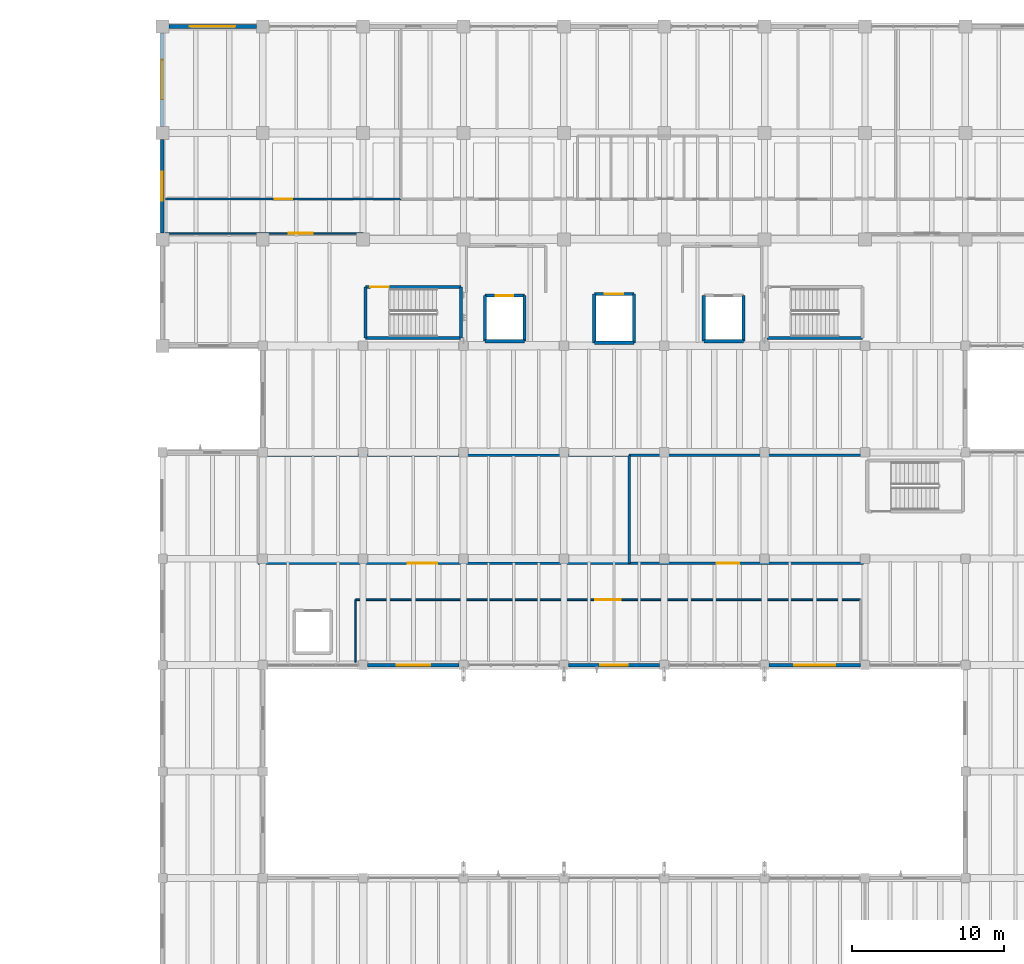
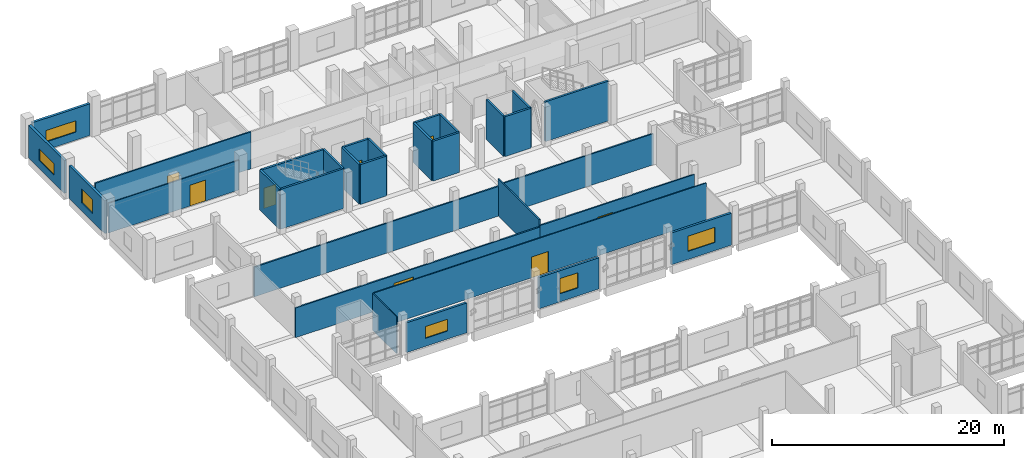
# One storey, part 48 of 68: 31 walls, 8 doors, 6 windows, 14 openings.
"""IFC4 building model written with IfcOpenShell, lengths in metres."""

import ifcopenshell
import ifcopenshell.guid

model = None  # the IFC model being written
_history = None  # IfcOwnerHistory: only IFC2X3 demands one
_inside = {}  # id of a spatial element -> (the spatial element, [elements in it])
_under = {}  # id of a project, library or spatial element -> (it, [spatial elements below it])
_declared = {}  # id of a project -> (the project, [libraries it declares])
_typed = {}  # id of a type object -> (the type object, [elements of that type])
_made_of = {}  # id of a material, layer set ... -> (it, [elements and type objects made of it])


def new_model(schema):
    """Start an empty IFC model of exactly this schema.

    Asked for "IFC4X3", IfcOpenShell would pick the latest addendum, in which some entities
    have other attributes; the version numbers below select the first issue.
    IFC2X3 requires an IfcOwnerHistory on every rooted entity: one is made here for all.
    """
    global model, _history
    if schema == "IFC4X3":
        model = ifcopenshell.file(schema_version=(4, 3, 0, 0))
    else:
        model = ifcopenshell.file(schema=schema)
    _inside.clear()
    _under.clear()
    _declared.clear()
    _typed.clear()
    _made_of.clear()
    _history = None
    if model.schema == "IFC2X3":
        org = make("IfcOrganization", Name="unknown")
        user = make(
            "IfcPersonAndOrganization",
            ThePerson=make("IfcPerson", FamilyName="unknown"),
            TheOrganization=org,
        )
        app = make(
            "IfcApplication",
            ApplicationDeveloper=org,
            Version="unknown",
            ApplicationFullName="unknown",
            ApplicationIdentifier="unknown",
        )
        _history = make(
            "IfcOwnerHistory",
            OwningUser=user,
            OwningApplication=app,
            ChangeAction="ADDED",
            CreationDate=0,
        )
    return model


def make(cls, **values):
    """One entity of the class cls with the attributes given. An attribute that is None is left unset."""
    return model.create_entity(
        cls, **{name: value for name, value in values.items() if value is not None}
    )


def rooted(cls, **values):
    """An entity with a GlobalId (a new one), such as an element, a storey or a relation."""
    return make(cls, GlobalId=ifcopenshell.guid.new(), OwnerHistory=_history, **values)


def si_unit(unit_type, name, prefix=None):
    """IfcSIUnit, for example si_unit("LENGTHUNIT", "METRE", prefix="MILLI")."""
    return make("IfcSIUnit", UnitType=unit_type, Prefix=prefix, Name=name)


def assignment(units):
    """IfcUnitAssignment: the units of a project."""
    return None if units is None else make("IfcUnitAssignment", Units=units)


def point(xyz):
    """IfcCartesianPoint."""
    return None if xyz is None else make("IfcCartesianPoint", Coordinates=xyz)


def direction(xyz):
    """IfcDirection."""
    return None if xyz is None else make("IfcDirection", DirectionRatios=xyz)


def frame(location, z_axis=None, x_axis=None):
    """IfcAxis2Placement3D, a coordinate frame: its origin and axes. An axis left out is left unset."""
    return make(
        "IfcAxis2Placement3D",
        Location=point(location),
        Axis=direction(z_axis),
        RefDirection=direction(x_axis),
    )


def frame_2d(location, x_axis=None):
    """IfcAxis2Placement2D, a coordinate frame in the plane: its origin and x axis."""
    return make(
        "IfcAxis2Placement2D", Location=point(location), RefDirection=direction(x_axis)
    )


def origin():
    """The frame at (0, 0, 0) with its axes left unset."""
    return frame((0.0, 0.0, 0.0))


def place(relative_to, where):
    """IfcLocalPlacement: puts the frame where relative to a parent placement (None: the world)."""
    return make(
        "IfcLocalPlacement", PlacementRelTo=relative_to, RelativePlacement=where
    )


def context(
    kind, dimensions, precision=None, world=None, true_north=None, identifier=None
):
    """IfcGeometricRepresentationContext, for example the 3D "Model" context."""
    return make(
        "IfcGeometricRepresentationContext",
        ContextIdentifier=identifier,
        ContextType=kind,
        CoordinateSpaceDimension=dimensions,
        Precision=precision,
        WorldCoordinateSystem=world,
        TrueNorth=true_north,
    )


def subcontext(parent, identifier, kind, view, scale=None):
    """IfcGeometricRepresentationSubContext, for example "Body" below "Model"."""
    return make(
        "IfcGeometricRepresentationSubContext",
        ContextIdentifier=identifier,
        ContextType=kind,
        ParentContext=parent,
        TargetScale=scale,
        TargetView=view,
    )


def project(units=None, contexts=None):
    """IfcProject with its units and contexts."""
    return rooted(
        "IfcProject",
        Name="project",
        RepresentationContexts=contexts,
        UnitsInContext=assignment(units),
    )


def spatial(cls, under=None, at=None, **own):
    """A site, building, storey or space (cls), placed at a placement, below another one or the project."""
    s = rooted(cls, ObjectPlacement=at, **own)
    if under is not None:
        _under.setdefault(under.id(), (under, []))[1].append(s)
    return s


def profile(cls, at=None, kind="AREA", **sizes):
    """A parametric profile (cls). Its sizes go by their IFC names, for example OverallWidth=200.0."""
    return make(cls, ProfileType=kind, Position=at, **sizes)


def rectangle(**sizes):
    """IfcRectangleProfileDef."""
    return profile("IfcRectangleProfileDef", **sizes)


def extrude(swept, where, along, depth):
    """IfcExtrudedAreaSolid: the profile swept, set in the frame where, extruded along a direction by depth."""
    return make(
        "IfcExtrudedAreaSolid",
        SweptArea=swept,
        Position=where,
        ExtrudedDirection=direction(along),
        Depth=depth,
    )


def shape(context_of_items, identifier, shape_type, items):
    """IfcShapeRepresentation: the items that make up one representation, for example the "Body"."""
    return make(
        "IfcShapeRepresentation",
        ContextOfItems=context_of_items,
        RepresentationIdentifier=identifier,
        RepresentationType=shape_type,
        Items=items,
    )


def material(Name=None, Category=None):
    """IfcMaterial."""
    return make("IfcMaterial", Name=Name, Category=Category)


def layer(
    of_material, thickness, ventilated=None, Name=None, Category=None, Priority=None
):
    """IfcMaterialLayer: one layer of a wall or slab, of a material (None: an air gap)."""
    return make(
        "IfcMaterialLayer",
        Material=of_material,
        LayerThickness=thickness,
        IsVentilated=ventilated,
        Name=Name,
        Category=Category,
        Priority=Priority,
    )


def layer_set(layers, Name=None):
    """IfcMaterialLayerSet."""
    return make("IfcMaterialLayerSet", MaterialLayers=layers, LayerSetName=Name)


def made_of(thing, what):
    """Note that an element or type object is made of a material, layer set ...; save() writes the relation."""
    if what is not None:
        _made_of.setdefault(what.id(), (what, []))[1].append(thing)
    return thing


def type_object(cls, material=None, **own):
    """A type object (cls), such as IfcWallType, which elements share."""
    return made_of(rooted(cls, **own), material)


def element(
    cls,
    number,
    at=None,
    inside=None,
    cuts=None,
    type_object=None,
    material=None,
    context=None,
    identifier="Body",
    shape_type=None,
    held_by="IfcProductDefinitionShape",
    body=None,
    shapes=None,
    **own,
):
    """One element of the class cls, such as IfcWall. Its Tag is "e" and its number.

    at: its placement. inside: the storey or other place that contains it. cuts: it is an
    opening in that element (IfcRelVoidsElement). A single representation is given by context,
    identifier, shape_type and body (its items); several are given by shapes. held_by: the class
    of the entity that holds the representations. save() writes the other relations.
    """
    e = rooted(cls, Tag="e%d" % number, ObjectPlacement=at, **own)
    if body is not None:
        shapes = [shape(context, identifier, shape_type, body)]
    if shapes is not None:
        e.Representation = make(held_by, Representations=shapes)
    if inside is not None:
        _inside.setdefault(inside.id(), (inside, []))[1].append(e)
    if cuts is not None:
        rooted(
            "IfcRelVoidsElement", RelatingBuildingElement=cuts, RelatedOpeningElement=e
        )
    if type_object is not None:
        _typed.setdefault(type_object.id(), (type_object, []))[1].append(e)
    return made_of(e, material)


def fill(opening, filler):
    """IfcRelFillsElement: the door or window that sits in an opening."""
    return rooted(
        "IfcRelFillsElement",
        RelatingOpeningElement=opening,
        RelatedBuildingElement=filler,
    )


def aggregate(whole, parts):
    """IfcRelAggregates: a whole, such as a stair, and the parts it consists of."""
    return rooted("IfcRelAggregates", RelatingObject=whole, RelatedObjects=parts)


def save(model, path):
    """Write the relations noted so far, then the file.

    IfcRelAggregates (storeys below a building ...), IfcRelContainedInSpatialStructure (elements
    in a storey), IfcRelDefinesByType, IfcRelAssociatesMaterial and IfcRelDeclares: one each for
    every whole, place, type object, material and project.
    """
    for whole, parts in _under.values():
        aggregate(whole, parts)
    for where, things in _inside.values():
        rooted(
            "IfcRelContainedInSpatialStructure",
            RelatedElements=things,
            RelatingStructure=where,
        )
    for kind, things in _typed.values():
        rooted("IfcRelDefinesByType", RelatedObjects=things, RelatingType=kind)
    for what, things in _made_of.values():
        rooted("IfcRelAssociatesMaterial", RelatedObjects=things, RelatingMaterial=what)
    for by, libraries in _declared.values():
        rooted("IfcRelDeclares", RelatingContext=by, RelatedDefinitions=libraries)
    model.write(path)


model = new_model("IFC4")

# Units and contexts
model_context = context("Model", 3, precision=1e-05, world=origin(), true_north=direction((0.0, 1.0)))
body_context = subcontext(model_context, "Body", "Model", "MODEL_VIEW")
ifc_project = project(units=[si_unit("LENGTHUNIT", "METRE"), si_unit("AREAUNIT", "SQUARE_METRE"), si_unit("VOLUMEUNIT", "CUBIC_METRE"), si_unit("PLANEANGLEUNIT", "RADIAN"), si_unit("MASSUNIT", "GRAM", prefix="KILO")], contexts=[model_context])

# Site, building, storey
site_placement = place(None, origin())
site = spatial("IfcSite", under=ifc_project, at=site_placement, CompositionType="ELEMENT")
building_placement = place(site_placement, origin())
building = spatial("IfcBuilding", under=site, at=building_placement, Name="Ciguamira Faculty of Natural Sciences", CompositionType="ELEMENT")
storey_placement = place(building_placement, frame((0.0, 0.0, 4.199951171875)))
storey = spatial("IfcBuildingStorey", under=building, at=storey_placement, Name="L01", CompositionType="ELEMENT", Elevation=4.199951171875)

# Wall, opening, window
ifc_material_1 = material(Name="Precast concrete C40/50", Category="concrete")
ifc_layer_1 = layer(ifc_material_1, 0.239990234375, Name="Precast concrete C40/50")
ifc_layer_set_1 = layer_set([ifc_layer_1], Name="Precast concrete C40/50")
wall_type_1 = type_object("IfcWallType", Name="ExtWall_EW-02_240", PredefinedType="SOLIDWALL", material=ifc_layer_set_1)
wall_1_placement = place(storey_placement, frame((57.72509765625, 115.0, 0.0), z_axis=(0.0, 0.0, 1.0), x_axis=(1.0, 0.0, 0.0)))
wall_1 = element("IfcWall", 1, at=wall_1_placement, inside=storey, type_object=wall_type_1, Name="L01 exterior wall 0168", PredefinedType="SOLIDWALL", context=body_context, shape_type="SweptSolid", body=[
    extrude(rectangle(XDim=5.75, YDim=0.239990234375, at=frame_2d((2.875, 0.0))), origin(), (0.0, 0.0, 1.0), 3.344970703125),
])
opening_1_placement = place(wall_1_placement, frame((1.375, 0.0, 0.85009765625)))
opening_1 = element("IfcOpeningElement", 2, at=opening_1_placement, cuts=wall_1, Name="Opening WT-33", PredefinedType="OPENING", context=body_context, shape_type="SweptSolid", body=[
    extrude(rectangle(XDim=3.0, YDim=1.199951171875, at=frame_2d((1.5, 0.60009765625))), frame((0.0, 0.1298828125, 0.0), z_axis=(0.0, -1.0, 0.0), x_axis=(1.0, 0.0, 0.0)), (0.0, 0.0, 1.0), 0.260009765625),
])
ifc_material_2 = material(Name="Hurricane laminated solar glass", Category="glass")
window_type_1 = type_object("IfcWindowType", Name="Window_WT-33_3000x1200", PartitioningType="DOUBLE_PANEL_VERTICAL", PredefinedType="WINDOW", material=ifc_material_2)
window_1_placement = place(opening_1_placement, origin())
window_1 = element("IfcWindow", 3, at=window_1_placement, inside=storey, type_object=window_type_1, Name="L01 facade window 0084", OverallHeight=1.199951171875, OverallWidth=3.0, PartitioningType="SINGLE_PANEL", PredefinedType="WINDOW", context=body_context, shape_type="SweptSolid", body=[
    extrude(rectangle(XDim=3.0, YDim=1.199951171875, at=frame_2d((1.5, 0.60009765625))), frame((0.0, 0.030029296875, 0.0), z_axis=(0.0, -1.0, 0.0), x_axis=(1.0, 0.0, 0.0)), (0.0, 0.0, 1.0), 0.06005859375),
])
fill(opening_1, window_1)

wall_2_placement = place(storey_placement, frame((57.300048828125, 101.425048828125, 0.0), z_axis=(0.0, 0.0, 1.0), x_axis=(0.0, 1.0, 0.0)))
wall_2 = element("IfcWall", 4, at=wall_2_placement, inside=storey, type_object=wall_type_1, Name="L01 exterior wall 0184", PredefinedType="SOLIDWALL", context=body_context, shape_type="SweptSolid", body=[
    extrude(rectangle(XDim=6.14990234375, YDim=0.239990234375, at=frame_2d((3.074951171875, 0.0))), origin(), (0.0, 0.0, 1.0), 3.465087890625),
])
opening_2_placement = place(wall_2_placement, frame((2.125, 0.0, 0.85009765625)))
opening_2 = element("IfcOpeningElement", 5, at=opening_2_placement, cuts=wall_2, Name="Opening WT-30", PredefinedType="OPENING", context=body_context, shape_type="SweptSolid", body=[
    extrude(rectangle(XDim=1.89990234375, YDim=1.449951171875, at=frame_2d((0.949951171875, 0.72509765625))), frame((0.0, 0.1298828125, 0.0), z_axis=(0.0, -1.0, 0.0), x_axis=(1.0, 0.0, 0.0)), (0.0, 0.0, 1.0), 0.260009765625),
])
window_type_2 = type_object("IfcWindowType", Name="Window_WT-30_1900x1450", PartitioningType="DOUBLE_PANEL_VERTICAL", PredefinedType="WINDOW", material=ifc_material_2)
window_2_placement = place(opening_2_placement, origin())
window_2 = element("IfcWindow", 6, at=window_2_placement, inside=storey, type_object=window_type_2, Name="L01 facade window 0099", OverallHeight=1.449951171875, OverallWidth=1.89990234375, PartitioningType="SINGLE_PANEL", PredefinedType="WINDOW", context=body_context, shape_type="SweptSolid", body=[
    extrude(rectangle(XDim=1.89990234375, YDim=1.449951171875, at=frame_2d((0.949951171875, 0.72509765625))), frame((0.0, 0.030029296875, 0.0), z_axis=(0.0, -1.0, 0.0), x_axis=(1.0, 0.0, 0.0)), (0.0, 0.0, 1.0), 0.06005859375),
])
fill(opening_2, window_2)

wall_3_placement = place(storey_placement, frame((57.300048828125, 108.425048828125, 0.0), z_axis=(0.0, 0.0, 1.0), x_axis=(0.0, 1.0, 0.0)))
wall_3 = element("IfcWall", 7, at=wall_3_placement, inside=storey, type_object=wall_type_1, Name="L01 exterior wall 0185", PredefinedType="SOLIDWALL", context=body_context, shape_type="SweptSolid", body=[
    extrude(rectangle(XDim=6.14990234375, YDim=0.239990234375, at=frame_2d((3.074951171875, 0.0))), origin(), (0.0, 0.0, 1.0), 3.465087890625),
])
opening_3_placement = place(wall_3_placement, frame((1.77490234375, 0.0, 0.85009765625)))
opening_3 = element("IfcOpeningElement", 8, at=opening_3_placement, cuts=wall_3, Name="Opening WT-32", PredefinedType="OPENING", context=body_context, shape_type="SweptSolid", body=[
    extrude(rectangle(XDim=2.60009765625, YDim=1.199951171875, at=frame_2d((1.300048828125, 0.60009765625))), frame((0.0, 0.1298828125, 0.0), z_axis=(0.0, -1.0, 0.0), x_axis=(1.0, 0.0, 0.0)), (0.0, 0.0, 1.0), 0.260009765625),
])
window_type_3 = type_object("IfcWindowType", Name="Window_WT-32_2600x1200", PartitioningType="DOUBLE_PANEL_VERTICAL", PredefinedType="WINDOW", material=ifc_material_2)
window_3_placement = place(opening_3_placement, origin())
window_3 = element("IfcWindow", 9, at=window_3_placement, inside=storey, type_object=window_type_3, Name="L01 facade window 0100", OverallHeight=1.199951171875, OverallWidth=2.60009765625, PartitioningType="SINGLE_PANEL", PredefinedType="WINDOW", context=body_context, shape_type="SweptSolid", body=[
    extrude(rectangle(XDim=2.60009765625, YDim=1.199951171875, at=frame_2d((1.300048828125, 0.60009765625))), frame((0.0, 0.030029296875, 0.0), z_axis=(0.0, -1.0, 0.0), x_axis=(1.0, 0.0, 0.0)), (0.0, 0.0, 1.0), 0.06005859375),
])
fill(opening_3, window_3)

ifc_layer_2 = layer(ifc_material_1, 0.219970703125, Name="Precast concrete C40/50")
ifc_layer_set_2 = layer_set([ifc_layer_2], Name="Precast concrete C40/50")
wall_type_2 = type_object("IfcWallType", Name="ExtWall_EW-03_220", PredefinedType="SOLIDWALL", material=ifc_layer_set_2)
wall_4_placement = place(storey_placement, frame((70.800048828125, 73.0, 0.0), z_axis=(0.0, 0.0, 1.0), x_axis=(1.0, 0.0, 0.0)))
wall_4 = element("IfcWall", 10, at=wall_4_placement, inside=storey, type_object=wall_type_2, Name="L01 exterior wall 0163", PredefinedType="SOLIDWALL", context=body_context, shape_type="SweptSolid", body=[
    extrude(rectangle(XDim=6.0, YDim=0.219970703125, at=frame_2d((3.0, 0.0))), origin(), (0.0, 0.0, 1.0), 3.135009765625),
])
opening_4_placement = place(wall_4_placement, frame((1.89990234375, 0.0, 0.85009765625)))
opening_4 = element("IfcOpeningElement", 11, at=opening_4_placement, cuts=wall_4, Name="Opening WT-18", PredefinedType="OPENING", context=body_context, shape_type="SweptSolid", body=[
    extrude(rectangle(XDim=2.199951171875, YDim=1.25, at=frame_2d((1.10009765625, 0.625))), frame((0.0, 0.119873046875, 0.0), z_axis=(0.0, -1.0, 0.0), x_axis=(1.0, 0.0, 0.0)), (0.0, 0.0, 1.0), 0.239990234375),
])
window_type_4 = type_object("IfcWindowType", Name="Window_WT-18_2200x1250", PartitioningType="DOUBLE_PANEL_VERTICAL", PredefinedType="WINDOW", material=ifc_material_2)
window_4_placement = place(opening_4_placement, origin())
window_4 = element("IfcWindow", 12, at=window_4_placement, inside=storey, type_object=window_type_4, Name="L01 facade window 0079", OverallHeight=1.25, OverallWidth=2.199951171875, PartitioningType="SINGLE_PANEL", PredefinedType="WINDOW", context=body_context, shape_type="SweptSolid", body=[
    extrude(rectangle(XDim=2.199951171875, YDim=1.25, at=frame_2d((1.10009765625, 0.625))), frame((0.0, 0.030029296875, 0.0), z_axis=(0.0, -1.0, 0.0), x_axis=(1.0, 0.0, 0.0)), (0.0, 0.0, 1.0), 0.06005859375),
])
fill(opening_4, window_4)

wall_5_placement = place(storey_placement, frame((84.0, 73.0, 0.0), z_axis=(0.0, 0.0, 1.0), x_axis=(1.0, 0.0, 0.0)))
wall_5 = element("IfcWall", 13, at=wall_5_placement, inside=storey, type_object=wall_type_2, Name="L01 exterior wall 0164", PredefinedType="SOLIDWALL", context=body_context, shape_type="SweptSolid", body=[
    extrude(rectangle(XDim=6.0, YDim=0.219970703125, at=frame_2d((3.0, 0.0))), origin(), (0.0, 0.0, 1.0), 3.28515625),
])
opening_5_placement = place(wall_5_placement, frame((2.10009765625, 0.0, 0.85009765625)))
opening_5 = element("IfcOpeningElement", 14, at=opening_5_placement, cuts=wall_5, Name="Opening WT-21", PredefinedType="OPENING", context=body_context, shape_type="SweptSolid", body=[
    extrude(rectangle(XDim=1.800048828125, YDim=1.60009765625, at=frame_2d((0.89990234375, 0.800048828125))), frame((0.0, 0.119873046875, 0.0), z_axis=(0.0, -1.0, 0.0), x_axis=(1.0, 0.0, 0.0)), (0.0, 0.0, 1.0), 0.239990234375),
])
window_type_5 = type_object("IfcWindowType", Name="Window_WT-21_1800x1600", PartitioningType="DOUBLE_PANEL_VERTICAL", PredefinedType="WINDOW", material=ifc_material_2)
window_5_placement = place(opening_5_placement, origin())
window_5 = element("IfcWindow", 15, at=window_5_placement, inside=storey, type_object=window_type_5, Name="L01 facade window 0080", OverallHeight=1.60009765625, OverallWidth=1.800048828125, PartitioningType="SINGLE_PANEL", PredefinedType="WINDOW", context=body_context, shape_type="SweptSolid", body=[
    extrude(rectangle(XDim=1.800048828125, YDim=1.60009765625, at=frame_2d((0.89990234375, 0.800048828125))), frame((0.0, 0.030029296875, 0.0), z_axis=(0.0, -1.0, 0.0), x_axis=(1.0, 0.0, 0.0)), (0.0, 0.0, 1.0), 0.06005859375),
])
fill(opening_5, window_5)

wall_6_placement = place(storey_placement, frame((97.199951171875, 73.0, 0.0), z_axis=(0.0, 0.0, 1.0), x_axis=(1.0, 0.0, 0.0)))
wall_6 = element("IfcWall", 16, at=wall_6_placement, inside=storey, type_object=wall_type_2, Name="L01 exterior wall 0165", PredefinedType="SOLIDWALL", context=body_context, shape_type="SweptSolid", body=[
    extrude(rectangle(XDim=6.0, YDim=0.219970703125, at=frame_2d((3.0, 0.0))), origin(), (0.0, 0.0, 1.0), 3.364990234375),
])
opening_6_placement = place(wall_6_placement, frame((1.64990234375, 0.0, 0.85009765625)))
opening_6 = element("IfcOpeningElement", 17, at=opening_6_placement, cuts=wall_6, Name="Opening WT-24", PredefinedType="OPENING", context=body_context, shape_type="SweptSolid", body=[
    extrude(rectangle(XDim=2.699951171875, YDim=1.60009765625, at=frame_2d((1.35009765625, 0.800048828125))), frame((0.0, 0.119873046875, 0.0), z_axis=(0.0, -1.0, 0.0), x_axis=(1.0, 0.0, 0.0)), (0.0, 0.0, 1.0), 0.239990234375),
])
window_type_6 = type_object("IfcWindowType", Name="Window_WT-24_2700x1600", PartitioningType="DOUBLE_PANEL_VERTICAL", PredefinedType="WINDOW", material=ifc_material_2)
window_6_placement = place(opening_6_placement, origin())
window_6 = element("IfcWindow", 18, at=window_6_placement, inside=storey, type_object=window_type_6, Name="L01 facade window 0081", OverallHeight=1.60009765625, OverallWidth=2.699951171875, PartitioningType="SINGLE_PANEL", PredefinedType="WINDOW", context=body_context, shape_type="SweptSolid", body=[
    extrude(rectangle(XDim=2.699951171875, YDim=1.60009765625, at=frame_2d((1.35009765625, 0.800048828125))), frame((0.0, 0.030029296875, 0.0), z_axis=(0.0, -1.0, 0.0), x_axis=(1.0, 0.0, 0.0)), (0.0, 0.0, 1.0), 0.06005859375),
])
fill(opening_6, window_6)

# Wall
ifc_material_3 = material(Name="Concrete C40/50", Category="concrete")
ifc_layer_3 = layer(ifc_material_3, 0.199951171875, Name="Concrete C40/50")
ifc_layer_set_3 = layer_set([ifc_layer_3], Name="Concrete C40/50")
wall_type_3 = type_object("IfcWallType", Name="IntWall_CW-S20_200", PredefinedType="SHEAR", material=ifc_layer_set_3)
wall_7_placement = place(storey_placement, frame((70.64990234375, 94.5, 0.0), z_axis=(0.0, 0.0, 1.0), x_axis=(1.0, 0.0, 0.0)))
element("IfcWall", 19, at=wall_7_placement, inside=storey, type_object=wall_type_3, Name="L01 ST-T1 core shear wall south", PredefinedType="SHEAR", context=body_context, shape_type="SweptSolid", body=[
    extrude(rectangle(XDim=6.300048828125, YDim=0.199951171875, at=frame_2d((3.14990234375, 0.0))), origin(), (0.0, 0.0, 1.0), 4.199951171875),
])

# Wall, opening, door
wall_8_placement = place(storey_placement, frame((70.64990234375, 97.860107421875, 0.0), z_axis=(0.0, 0.0, 1.0), x_axis=(1.0, 0.0, 0.0)))
wall_8 = element("IfcWall", 20, at=wall_8_placement, inside=storey, type_object=wall_type_3, Name="L01 ST-T1 core shear wall north", PredefinedType="SHEAR", context=body_context, shape_type="SweptSolid", body=[
    extrude(rectangle(XDim=6.300048828125, YDim=0.199951171875, at=frame_2d((3.14990234375, 0.0))), origin(), (0.0, 0.0, 1.0), 4.199951171875),
])
opening_7_placement = place(wall_8_placement, frame((0.320068359375, 0.0, 0.0)))
opening_7 = element("IfcOpeningElement", 21, at=opening_7_placement, cuts=wall_8, Name="Opening ID-14", PredefinedType="OPENING", context=body_context, shape_type="SweptSolid", body=[
    extrude(rectangle(XDim=1.199951171875, YDim=2.14990234375, at=frame_2d((0.60009765625, 1.074951171875))), frame((0.0, 0.10986328125, 0.0), z_axis=(0.0, -1.0, 0.0), x_axis=(1.0, 0.0, 0.0)), (0.0, 0.0, 1.0), 0.219970703125),
])
ifc_material_4 = material(Name="Protected exit stair fire door")
door_type_1 = type_object("IfcDoorType", Name="IntDoor_ID-14_1200x2150", OperationType="NOTDEFINED", PredefinedType="DOOR", material=ifc_material_4)
door_1_placement = place(opening_7_placement, frame((1.199951171875, 0.0, 0.0), z_axis=(0.0, 0.0, 1.0), x_axis=(-1.0, 0.0, 0.0)))
door_1 = element("IfcDoor", 22, at=door_1_placement, inside=storey, type_object=door_type_1, Name="L01 ST-T1 exit stair fire door", OperationType="SINGLE_SWING_LEFT", OverallHeight=2.14990234375, OverallWidth=1.199951171875, PredefinedType="DOOR", context=body_context, shape_type="SweptSolid", body=[
    extrude(rectangle(XDim=1.199951171875, YDim=2.14990234375, at=frame_2d((0.60009765625, 1.074951171875))), frame((0.0, 0.02490234375, 0.0), z_axis=(0.0, -1.0, 0.0), x_axis=(1.0, 0.0, 0.0)), (0.0, 0.0, 1.0), 0.050048828125),
])
fill(opening_7, door_1)

# Walls
for number, where, z_axis, x_axis, name in (
    (23, (70.64990234375, 94.5, 0.0), (0.0, 0.0, 1.0), (0.0, 1.0, 0.0), "L01 ST-T1 core shear wall west"),
    (24, (76.949951171875, 94.5, 0.0), (0.0, 0.0, 1.0), (0.0, 1.0, 0.0), "L01 ST-T1 core shear wall east"),
):
    element("IfcWall", number, at=place(storey_placement, frame(where, z_axis=z_axis, x_axis=x_axis)), inside=storey, type_object=wall_type_3, Name=name, PredefinedType="SHEAR", context=body_context, shape_type="SweptSolid", body=[
        extrude(rectangle(XDim=3.360107421875, YDim=0.199951171875, at=frame_2d((1.68017578125, 0.0))), origin(), (0.0, 0.0, 1.0), 4.199951171875),
    ])
wall_9_placement = place(storey_placement, frame((97.050048828125, 94.5, 0.0), z_axis=(0.0, 0.0, 1.0), x_axis=(1.0, 0.0, 0.0)))
element("IfcWall", 25, at=wall_9_placement, inside=storey, type_object=wall_type_3, Name="L01 ST-T2 core shear wall south", PredefinedType="SHEAR", context=body_context, shape_type="SweptSolid", body=[
    extrude(rectangle(XDim=6.300048828125, YDim=0.199951171875, at=frame_2d((3.14990234375, 0.0))), origin(), (0.0, 0.0, 1.0), 4.199951171875),
])
wall_10_placement = place(storey_placement, frame((78.5, 94.300048828125, 0.0), z_axis=(0.0, 0.0, 1.0), x_axis=(1.0, 0.0, 0.0)))
element("IfcWall", 26, at=wall_10_placement, inside=storey, type_object=wall_type_3, Name="L01 EL-FF1 hoistway wall south", PredefinedType="SHEAR", context=body_context, shape_type="SweptSolid", body=[
    extrude(rectangle(XDim=2.60009765625, YDim=0.199951171875, at=frame_2d((1.300048828125, 0.0))), origin(), (0.0, 0.0, 1.0), 4.199951171875),
])

# Wall, opening, door
wall_11_placement = place(storey_placement, frame((78.5, 97.300048828125, 0.0), z_axis=(0.0, 0.0, 1.0), x_axis=(1.0, 0.0, 0.0)))
wall_11 = element("IfcWall", 27, at=wall_11_placement, inside=storey, type_object=wall_type_3, Name="L01 EL-FF1 hoistway wall north", PredefinedType="SHEAR", context=body_context, shape_type="SweptSolid", body=[
    extrude(rectangle(XDim=2.60009765625, YDim=0.199951171875, at=frame_2d((1.300048828125, 0.0))), origin(), (0.0, 0.0, 1.0), 4.199951171875),
])
opening_8_placement = place(wall_11_placement, frame((0.72509765625, 0.0, 0.0)))
opening_8 = element("IfcOpeningElement", 28, at=opening_8_placement, cuts=wall_11, Name="Opening LD-03", PredefinedType="OPENING", context=body_context, shape_type="SweptSolid", body=[
    extrude(rectangle(XDim=1.14990234375, YDim=2.199951171875, at=frame_2d((0.574951171875, 1.10009765625))), frame((0.0, 0.10986328125, 0.0), z_axis=(0.0, -1.0, 0.0), x_axis=(1.0, 0.0, 0.0)), (0.0, 0.0, 1.0), 0.219970703125),
])
ifc_material_5 = material(Name="Firefighting lift sliding landing door")
door_type_2 = type_object("IfcDoorType", Name="LiftLandingDoor_LD-03_1150x2200", OperationType="SLIDING_TO_LEFT", PredefinedType="DOOR", material=ifc_material_5)
door_2_placement = place(opening_8_placement, origin())
door_2 = element("IfcDoor", 29, at=door_2_placement, inside=storey, type_object=door_type_2, Name="L01 EL-FF1 elevator landing sliding door", OperationType="SLIDING_TO_LEFT", OverallHeight=2.199951171875, OverallWidth=1.14990234375, PredefinedType="DOOR", context=body_context, shape_type="SweptSolid", body=[
    extrude(rectangle(XDim=1.14990234375, YDim=2.199951171875, at=frame_2d((0.574951171875, 1.10009765625))), frame((0.0, 0.02490234375, 0.0), z_axis=(0.0, -1.0, 0.0), x_axis=(1.0, 0.0, 0.0)), (0.0, 0.0, 1.0), 0.050048828125),
])
fill(opening_8, door_2)

# Walls
for number, where, z_axis, x_axis, name in (
    (30, (78.5, 94.300048828125, 0.0), (0.0, 0.0, 1.0), (0.0, 1.0, 0.0), "L01 EL-FF1 hoistway wall west"),
    (31, (81.10009765625, 94.300048828125, 0.0), (0.0, 0.0, 1.0), (0.0, 1.0, 0.0), "L01 EL-FF1 hoistway wall east"),
):
    element("IfcWall", number, at=place(storey_placement, frame(where, z_axis=z_axis, x_axis=x_axis)), inside=storey, type_object=wall_type_3, Name=name, PredefinedType="SHEAR", context=body_context, shape_type="SweptSolid", body=[
        extrude(rectangle(XDim=3.0, YDim=0.199951171875, at=frame_2d((1.5, 0.0))), origin(), (0.0, 0.0, 1.0), 4.199951171875),
    ])
wall_12_placement = place(storey_placement, frame((92.89990234375, 94.300048828125, 0.0), z_axis=(0.0, 0.0, 1.0), x_axis=(1.0, 0.0, 0.0)))
element("IfcWall", 32, at=wall_12_placement, inside=storey, type_object=wall_type_3, Name="L01 EL-FF2 hoistway wall south", PredefinedType="SHEAR", context=body_context, shape_type="SweptSolid", body=[
    extrude(rectangle(XDim=2.60009765625, YDim=0.199951171875, at=frame_2d((1.300048828125, 0.0))), origin(), (0.0, 0.0, 1.0), 4.199951171875),
])
for number, where, z_axis, x_axis, name in (
    (33, (92.89990234375, 94.300048828125, 0.0), (0.0, 0.0, 1.0), (0.0, 1.0, 0.0), "L01 EL-FF2 hoistway wall west"),
    (34, (95.5, 94.300048828125, 0.0), (0.0, 0.0, 1.0), (0.0, 1.0, 0.0), "L01 EL-FF2 hoistway wall east"),
):
    element("IfcWall", number, at=place(storey_placement, frame(where, z_axis=z_axis, x_axis=x_axis)), inside=storey, type_object=wall_type_3, Name=name, PredefinedType="SHEAR", context=body_context, shape_type="SweptSolid", body=[
        extrude(rectangle(XDim=3.0, YDim=0.199951171875, at=frame_2d((1.5, 0.0))), origin(), (0.0, 0.0, 1.0), 4.199951171875),
    ])
wall_13_placement = place(storey_placement, frame((85.699951171875, 94.199951171875, 0.0), z_axis=(0.0, 0.0, 1.0), x_axis=(1.0, 0.0, 0.0)))
element("IfcWall", 35, at=wall_13_placement, inside=storey, type_object=wall_type_3, Name="L01 EL-P1 hoistway wall south", PredefinedType="SHEAR", context=body_context, shape_type="SweptSolid", body=[
    extrude(rectangle(XDim=2.60009765625, YDim=0.199951171875, at=frame_2d((1.300048828125, 0.0))), origin(), (0.0, 0.0, 1.0), 4.199951171875),
])

# Wall, opening, door
wall_14_placement = place(storey_placement, frame((85.699951171875, 97.39990234375, 0.0), z_axis=(0.0, 0.0, 1.0), x_axis=(1.0, 0.0, 0.0)))
wall_14 = element("IfcWall", 36, at=wall_14_placement, inside=storey, type_object=wall_type_3, Name="L01 EL-P1 hoistway wall north", PredefinedType="SHEAR", context=body_context, shape_type="SweptSolid", body=[
    extrude(rectangle(XDim=2.60009765625, YDim=0.199951171875, at=frame_2d((1.300048828125, 0.0))), origin(), (0.0, 0.0, 1.0), 4.199951171875),
])
opening_9_placement = place(wall_14_placement, frame((0.699951171875, 0.0, 0.0)))
opening_9 = element("IfcOpeningElement", 37, at=opening_9_placement, cuts=wall_14, Name="Opening LD-02", PredefinedType="OPENING", context=body_context, shape_type="SweptSolid", body=[
    extrude(rectangle(XDim=1.199951171875, YDim=2.199951171875, at=frame_2d((0.60009765625, 1.10009765625))), frame((0.0, 0.10986328125, 0.0), z_axis=(0.0, -1.0, 0.0), x_axis=(1.0, 0.0, 0.0)), (0.0, 0.0, 1.0), 0.219970703125),
])
ifc_material_6 = material(Name="Stretcher elevator sliding landing door")
door_type_3 = type_object("IfcDoorType", Name="LiftLandingDoor_LD-02_1200x2200", OperationType="SLIDING_TO_LEFT", PredefinedType="DOOR", material=ifc_material_6)
door_3_placement = place(opening_9_placement, origin())
door_3 = element("IfcDoor", 38, at=door_3_placement, inside=storey, type_object=door_type_3, Name="L01 EL-P1 elevator landing sliding door", OperationType="SLIDING_TO_LEFT", OverallHeight=2.199951171875, OverallWidth=1.199951171875, PredefinedType="DOOR", context=body_context, shape_type="SweptSolid", body=[
    extrude(rectangle(XDim=1.199951171875, YDim=2.199951171875, at=frame_2d((0.60009765625, 1.10009765625))), frame((0.0, 0.02490234375, 0.0), z_axis=(0.0, -1.0, 0.0), x_axis=(1.0, 0.0, 0.0)), (0.0, 0.0, 1.0), 0.050048828125),
])
fill(opening_9, door_3)

# Walls
for number, where, z_axis, x_axis, name in (
    (39, (85.699951171875, 94.199951171875, 0.0), (0.0, 0.0, 1.0), (0.0, 1.0, 0.0), "L01 EL-P1 hoistway wall west"),
    (40, (88.300048828125, 94.199951171875, 0.0), (0.0, 0.0, 1.0), (0.0, 1.0, 0.0), "L01 EL-P1 hoistway wall east"),
):
    element("IfcWall", number, at=place(storey_placement, frame(where, z_axis=z_axis, x_axis=x_axis)), inside=storey, type_object=wall_type_3, Name=name, PredefinedType="SHEAR", context=body_context, shape_type="SweptSolid", body=[
        extrude(rectangle(XDim=3.199951171875, YDim=0.199951171875, at=frame_2d((1.60009765625, 0.0))), origin(), (0.0, 0.0, 1.0), 4.199951171875),
    ])

# Wall, opening, door
ifc_material_7 = material(Name="Fire-rated gypsum partition")
ifc_layer_4 = layer(ifc_material_7, 0.10009765625, Name="Fire-rated gypsum partition")
ifc_layer_set_4 = layer_set([ifc_layer_4], Name="Fire-rated gypsum partition")
wall_type_4 = type_object("IfcWallType", Name="IntWall_IW-A10_100", PredefinedType="PARTITIONING", material=ifc_layer_set_4)
wall_15_placement = place(storey_placement, frame((70.0, 77.300048828125, 0.0), z_axis=(0.0, 0.0, 1.0), x_axis=(1.0, 0.0, 0.0)))
wall_15 = element("IfcWall", 41, at=wall_15_placement, inside=storey, type_object=wall_type_4, Name="L01 L01 Court Overlook Write-Up Studio partition north", PredefinedType="PARTITIONING", context=body_context, shape_type="SweptSolid", body=[
    extrude(rectangle(XDim=33.199951171875, YDim=0.10009765625, at=frame_2d((16.60009765625, 0.0))), origin(), (0.0, 0.0, 1.0), 3.900146484375),
])
opening_10_placement = place(wall_15_placement, frame((15.75, 0.0, 0.0)))
opening_10 = element("IfcOpeningElement", 42, at=opening_10_placement, cuts=wall_15, Name="Opening ID-18", PredefinedType="OPENING", context=body_context, shape_type="SweptSolid", body=[
    extrude(rectangle(XDim=1.699951171875, YDim=2.199951171875, at=frame_2d((0.85009765625, 1.10009765625))), frame((0.0, 0.06005859375, 0.0), z_axis=(0.0, -1.0, 0.0), x_axis=(1.0, 0.0, 0.0)), (0.0, 0.0, 1.0), 0.1201171875),
])
ifc_material_8 = material(Name="Archive vault rated door")
door_type_4 = type_object("IfcDoorType", Name="IntDoor_ID-18_1700x2200", OperationType="NOTDEFINED", PredefinedType="DOOR", material=ifc_material_8)
door_4_placement = place(opening_10_placement, frame((1.699951171875, 0.0, 0.0), z_axis=(0.0, 0.0, 1.0), x_axis=(-1.0, 0.0, 0.0)))
door_4 = element("IfcDoor", 43, at=door_4_placement, inside=storey, type_object=door_type_4, Name="L01 L01 Court Overlook Write-Up Studio door", OperationType="SINGLE_SWING_LEFT", OverallHeight=2.199951171875, OverallWidth=1.699951171875, PredefinedType="DOOR", context=body_context, shape_type="SweptSolid", body=[
    extrude(rectangle(XDim=1.699951171875, YDim=2.199951171875, at=frame_2d((0.85009765625, 1.10009765625))), frame((0.0, 0.02490234375, 0.0), z_axis=(0.0, -1.0, 0.0), x_axis=(1.0, 0.0, 0.0)), (0.0, 0.0, 1.0), 0.050048828125),
])
fill(opening_10, door_4)

# Wall
wall_16_placement = place(storey_placement, frame((70.0, 73.199951171875, 0.0), z_axis=(0.0, 0.0, 1.0), x_axis=(0.0, 1.0, 0.0)))
element("IfcWall", 44, at=wall_16_placement, inside=storey, type_object=wall_type_4, Name="L01 L01 Court Overlook Write-Up Studio partition west", PredefinedType="PARTITIONING", context=body_context, shape_type="SweptSolid", body=[
    extrude(rectangle(XDim=4.10009765625, YDim=0.10009765625, at=frame_2d((2.050048828125, 0.0))), origin(), (0.0, 0.0, 1.0), 3.900146484375),
])

# Wall, opening, door
wall_17_placement = place(storey_placement, frame((57.5, 101.39990234375, 0.0), z_axis=(0.0, 0.0, 1.0), x_axis=(1.0, 0.0, 0.0)))
wall_17 = element("IfcWall", 45, at=wall_17_placement, inside=storey, type_object=wall_type_4, Name="L01 Postdoctoral Write-Up Office partition north", PredefinedType="PARTITIONING", context=body_context, shape_type="SweptSolid", body=[
    extrude(rectangle(XDim=13.0, YDim=0.10009765625, at=frame_2d((6.5, 0.0))), origin(), (0.0, 0.0, 1.0), 3.135009765625),
])
opening_11_placement = place(wall_17_placement, frame((8.125, 0.0, 0.0)))
opening_11 = element("IfcOpeningElement", 46, at=opening_11_placement, cuts=wall_17, Name="Opening ID-09", PredefinedType="OPENING", context=body_context, shape_type="SweptSolid", body=[
    extrude(rectangle(XDim=1.550048828125, YDim=2.199951171875, at=frame_2d((0.77490234375, 1.10009765625))), frame((0.0, 0.06005859375, 0.0), z_axis=(0.0, -1.0, 0.0), x_axis=(1.0, 0.0, 0.0)), (0.0, 0.0, 1.0), 0.1201171875),
])
ifc_material_9 = material(Name="Teaching laboratory double door")
door_type_5 = type_object("IfcDoorType", Name="IntDoor_ID-09_1550x2200", OperationType="NOTDEFINED", PredefinedType="DOOR", material=ifc_material_9)
door_5_placement = place(opening_11_placement, frame((1.550048828125, 0.0, 0.0), z_axis=(0.0, 0.0, 1.0), x_axis=(-1.0, 0.0, 0.0)))
door_5 = element("IfcDoor", 47, at=door_5_placement, inside=storey, type_object=door_type_5, Name="L01 Postdoctoral Write-Up Office door", OperationType="SINGLE_SWING_RIGHT", OverallHeight=2.199951171875, OverallWidth=1.550048828125, PredefinedType="DOOR", context=body_context, shape_type="SweptSolid", body=[
    extrude(rectangle(XDim=1.550048828125, YDim=2.199951171875, at=frame_2d((0.77490234375, 1.10009765625))), frame((0.0, 0.02490234375, 0.0), z_axis=(0.0, -1.0, 0.0), x_axis=(1.0, 0.0, 0.0)), (0.0, 0.0, 1.0), 0.050048828125),
])
fill(opening_11, door_5)

ifc_material_10 = material(Name="Moisture-resistant service chase wall")
ifc_layer_5 = layer(ifc_material_10, 0.139892578125, Name="Moisture-resistant service chase wall")
ifc_layer_set_5 = layer_set([ifc_layer_5], Name="Moisture-resistant service chase wall")
wall_type_5 = type_object("IfcWallType", Name="IntWall_IW-P14_140", PredefinedType="PLUMBINGWALL", material=ifc_layer_set_5)
wall_18_placement = place(storey_placement, frame((63.60009765625, 79.699951171875, 0.0), z_axis=(0.0, 0.0, 1.0), x_axis=(1.0, 0.0, 0.0)))
wall_18 = element("IfcWall", 48, at=wall_18_placement, inside=storey, type_object=wall_type_5, Name="L01 Marine Ecology Wet Laboratory partition south", PredefinedType="PLUMBINGWALL", context=body_context, shape_type="SweptSolid", body=[
    extrude(rectangle(XDim=24.39990234375, YDim=0.139892578125, at=frame_2d((12.199951171875, 0.0))), origin(), (0.0, 0.0, 1.0), 3.135009765625),
])
opening_12_placement = place(wall_18_placement, frame((9.824951171875, 0.0, 0.0)))
opening_12 = element("IfcOpeningElement", 49, at=opening_12_placement, cuts=wall_18, Name="Opening ID-13", PredefinedType="OPENING", context=body_context, shape_type="SweptSolid", body=[
    extrude(rectangle(XDim=1.949951171875, YDim=2.300048828125, at=frame_2d((0.97509765625, 1.14990234375))), frame((0.0, 0.079833984375, 0.0), z_axis=(0.0, -1.0, 0.0), x_axis=(1.0, 0.0, 0.0)), (0.0, 0.0, 1.0), 0.159912109375),
])
ifc_material_11 = material(Name="Atrium concourse double fire door")
door_type_6 = type_object("IfcDoorType", Name="IntDoor_ID-13_1950x2300", OperationType="NOTDEFINED", PredefinedType="DOOR", material=ifc_material_11)
door_6_placement = place(opening_12_placement, origin())
door_6 = element("IfcDoor", 50, at=door_6_placement, inside=storey, type_object=door_type_6, Name="L01 Marine Ecology Wet Laboratory door", OperationType="SINGLE_SWING_LEFT", OverallHeight=2.300048828125, OverallWidth=1.949951171875, PredefinedType="DOOR", context=body_context, shape_type="SweptSolid", body=[
    extrude(rectangle(XDim=1.949951171875, YDim=2.300048828125, at=frame_2d((0.97509765625, 1.14990234375))), frame((0.0, 0.02490234375, 0.0), z_axis=(0.0, -1.0, 0.0), x_axis=(1.0, 0.0, 0.0)), (0.0, 0.0, 1.0), 0.050048828125),
])
fill(opening_12, door_6)

# Walls
wall_19_placement = place(storey_placement, frame((63.60009765625, 86.800048828125, 0.0), z_axis=(0.0, 0.0, 1.0), x_axis=(1.0, 0.0, 0.0)))
element("IfcWall", 51, at=wall_19_placement, inside=storey, type_object=wall_type_5, Name="L01 Marine Ecology Wet Laboratory partition north", PredefinedType="PLUMBINGWALL", context=body_context, shape_type="SweptSolid", body=[
    extrude(rectangle(XDim=24.39990234375, YDim=0.139892578125, at=frame_2d((12.199951171875, 0.0))), origin(), (0.0, 0.0, 1.0), 3.135009765625),
])
wall_20_placement = place(storey_placement, frame((88.0, 79.699951171875, 0.0), z_axis=(0.0, 0.0, 1.0), x_axis=(0.0, 1.0, 0.0)))
element("IfcWall", 52, at=wall_20_placement, inside=storey, type_object=wall_type_5, Name="L01 Marine Ecology Wet Laboratory partition east", PredefinedType="PLUMBINGWALL", context=body_context, shape_type="SweptSolid", body=[
    extrude(rectangle(XDim=7.10009765625, YDim=0.139892578125, at=frame_2d((3.550048828125, 0.0))), origin(), (0.0, 0.0, 1.0), 3.900146484375),
])

# Wall, opening, door
wall_21_placement = place(storey_placement, frame((88.0, 79.699951171875, 0.0), z_axis=(0.0, 0.0, 1.0), x_axis=(1.0, 0.0, 0.0)))
wall_21 = element("IfcWall", 53, at=wall_21_placement, inside=storey, type_object=wall_type_5, Name="L01 Autoclave and Glassware Prep Room partition south", PredefinedType="PLUMBINGWALL", context=body_context, shape_type="SweptSolid", body=[
    extrude(rectangle(XDim=15.39990234375, YDim=0.139892578125, at=frame_2d((7.699951171875, 0.0))), origin(), (0.0, 0.0, 1.0), 3.28515625),
])
opening_13_placement = place(wall_21_placement, frame((5.75, 0.0, 0.0)))
opening_13 = element("IfcOpeningElement", 54, at=opening_13_placement, cuts=wall_21, Name="Opening ID-17", PredefinedType="OPENING", context=body_context, shape_type="SweptSolid", body=[
    extrude(rectangle(XDim=1.5, YDim=2.14990234375, at=frame_2d((0.75, 1.074951171875))), frame((0.0, 0.079833984375, 0.0), z_axis=(0.0, -1.0, 0.0), x_axis=(1.0, 0.0, 0.0)), (0.0, 0.0, 1.0), 0.159912109375),
])
ifc_material_12 = material(Name="Plant room double steel door", Category="steel")
door_type_7 = type_object("IfcDoorType", Name="IntDoor_ID-17_1500x2150", OperationType="NOTDEFINED", PredefinedType="DOOR", material=ifc_material_12)
door_7_placement = place(opening_13_placement, origin())
door_7 = element("IfcDoor", 55, at=door_7_placement, inside=storey, type_object=door_type_7, Name="L01 Autoclave and Glassware Prep Room door", OperationType="SINGLE_SWING_RIGHT", OverallHeight=2.14990234375, OverallWidth=1.5, PredefinedType="DOOR", context=body_context, shape_type="SweptSolid", body=[
    extrude(rectangle(XDim=1.5, YDim=2.14990234375, at=frame_2d((0.75, 1.074951171875))), frame((0.0, 0.02490234375, 0.0), z_axis=(0.0, -1.0, 0.0), x_axis=(1.0, 0.0, 0.0)), (0.0, 0.0, 1.0), 0.050048828125),
])
fill(opening_13, door_7)

# Wall
wall_22_placement = place(storey_placement, frame((88.0, 86.800048828125, 0.0), z_axis=(0.0, 0.0, 1.0), x_axis=(1.0, 0.0, 0.0)))
element("IfcWall", 56, at=wall_22_placement, inside=storey, type_object=wall_type_5, Name="L01 Autoclave and Glassware Prep Room partition north", PredefinedType="PLUMBINGWALL", context=body_context, shape_type="SweptSolid", body=[
    extrude(rectangle(XDim=15.39990234375, YDim=0.139892578125, at=frame_2d((7.699951171875, 0.0))), origin(), (0.0, 0.0, 1.0), 3.28515625),
])

# Wall, opening, door
wall_23_placement = place(storey_placement, frame((57.5, 103.64990234375, 0.0), z_axis=(0.0, 0.0, 1.0), x_axis=(1.0, 0.0, 0.0)))
wall_23 = element("IfcWall", 57, at=wall_23_placement, inside=storey, type_object=wall_type_5, Name="L01 Physical Chemistry Research Laboratory partition south", PredefinedType="PLUMBINGWALL", context=body_context, shape_type="SweptSolid", body=[
    extrude(rectangle(XDim=15.5, YDim=0.139892578125, at=frame_2d((7.75, 0.0))), origin(), (0.0, 0.0, 1.0), 3.900146484375),
])
opening_14_placement = place(wall_23_placement, frame((7.175048828125, 0.0, 0.0)))
opening_14 = element("IfcOpeningElement", 58, at=opening_14_placement, cuts=wall_23, Name="Opening ID-05", PredefinedType="OPENING", context=body_context, shape_type="SweptSolid", body=[
    extrude(rectangle(XDim=1.14990234375, YDim=2.14990234375, at=frame_2d((0.574951171875, 1.074951171875))), frame((0.0, 0.079833984375, 0.0), z_axis=(0.0, -1.0, 0.0), x_axis=(1.0, 0.0, 0.0)), (0.0, 0.0, 1.0), 0.159912109375),
])
ifc_material_13 = material(Name="Research office wide door")
door_type_8 = type_object("IfcDoorType", Name="IntDoor_ID-05_1150x2150", OperationType="NOTDEFINED", PredefinedType="DOOR", material=ifc_material_13)
door_8_placement = place(opening_14_placement, origin())
door_8 = element("IfcDoor", 59, at=door_8_placement, inside=storey, type_object=door_type_8, Name="L01 Physical Chemistry Research Laboratory door", OperationType="SINGLE_SWING_RIGHT", OverallHeight=2.14990234375, OverallWidth=1.14990234375, PredefinedType="DOOR", context=body_context, shape_type="SweptSolid", body=[
    extrude(rectangle(XDim=1.14990234375, YDim=2.14990234375, at=frame_2d((0.574951171875, 1.074951171875))), frame((0.0, 0.02490234375, 0.0), z_axis=(0.0, -1.0, 0.0), x_axis=(1.0, 0.0, 0.0)), (0.0, 0.0, 1.0), 0.050048828125),
])
fill(opening_14, door_8)

save(model, "model.ifc")
